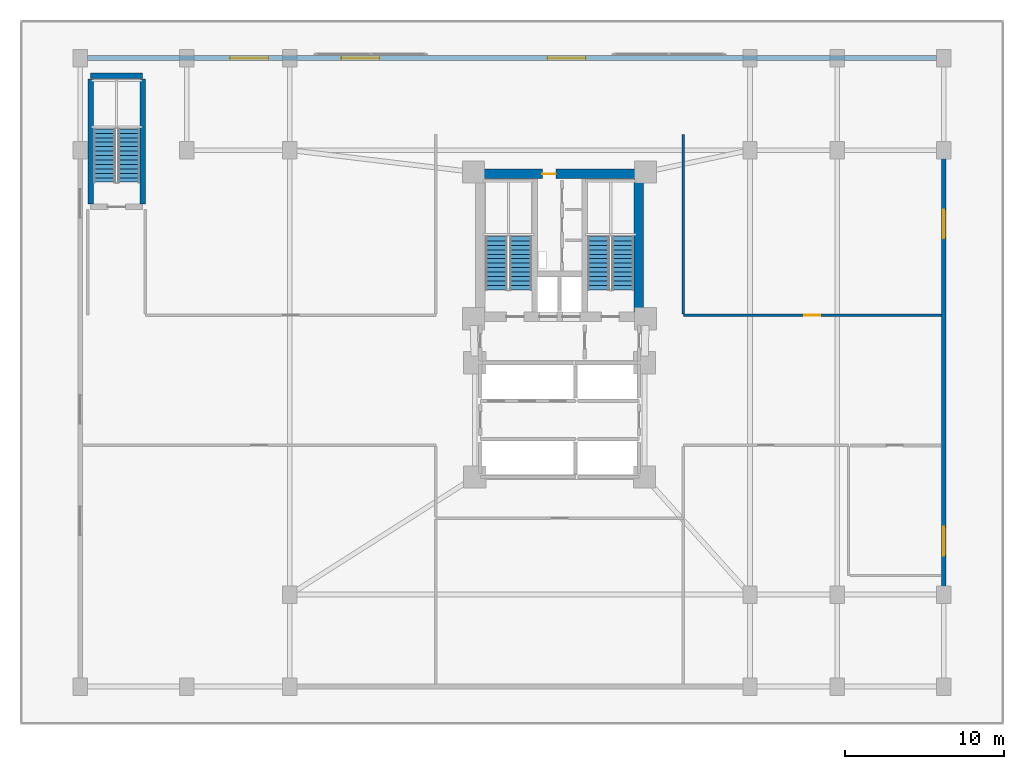
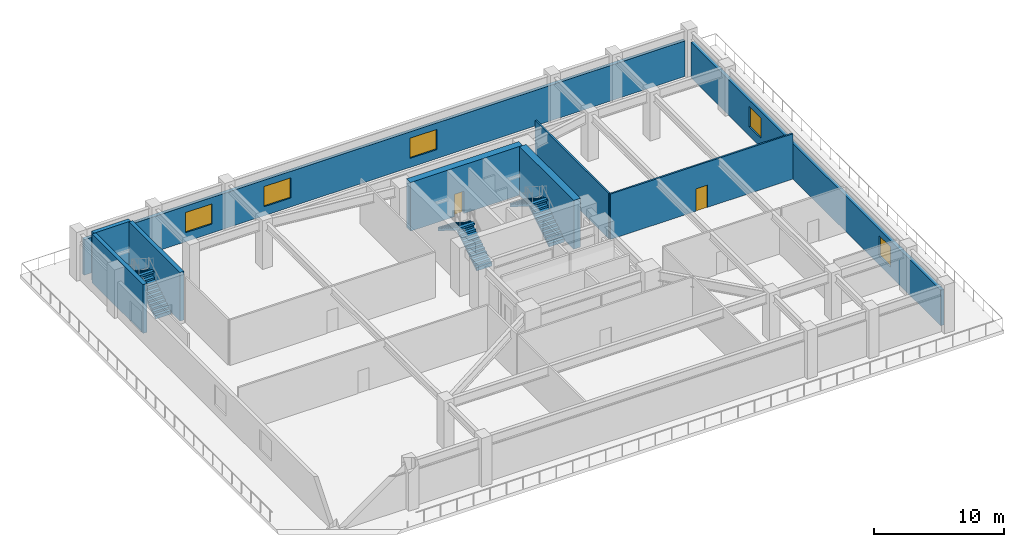
# One storey, part 7 of 10: 9 walls, 6 stair flights, 5 windows, 2 doors, 7 openings, 3 elements without a shape of their own.
"""IFC4 building model written with IfcOpenShell, lengths in metres."""

from ifc_helpers import new_model, si_unit, direction, frame, frame_2d, origin, place, context, subcontext, project, spatial, polyline, rectangle, outline, extrude, material, layer, layer_set, type_object, element, fill, aggregate, save


model = new_model("IFC4")

# Units and contexts
model_context = context("Model", 3, precision=1e-05, world=origin(), true_north=direction((0.0, 1.0)))
body_context = subcontext(model_context, "Body", "Model", "MODEL_VIEW")
ifc_project = project(units=[si_unit("LENGTHUNIT", "METRE"), si_unit("AREAUNIT", "SQUARE_METRE"), si_unit("VOLUMEUNIT", "CUBIC_METRE"), si_unit("PLANEANGLEUNIT", "RADIAN"), si_unit("MASSUNIT", "GRAM", prefix="KILO")], contexts=[model_context])

# Site, building, storey
site_placement = place(None, origin())
site = spatial("IfcSite", under=ifc_project, at=site_placement, CompositionType="ELEMENT")
building_placement = place(site_placement, origin())
building = spatial("IfcBuilding", under=site, at=building_placement, Name="Varnakorn Sky Granary", CompositionType="ELEMENT")
storey_placement = place(building_placement, frame((0.0, 0.0, 13.800048828125)))
storey = spatial("IfcBuildingStorey", under=building, at=storey_placement, Name="L03", CompositionType="ELEMENT", Elevation=13.800048828125)

# Walls
ifc_material_1 = material(Name="Concrete C50/60", Category="concrete")
ifc_layer_1 = layer(ifc_material_1, 0.35009765625, Name="Concrete C50/60")
ifc_layer_set_1 = layer_set([ifc_layer_1], Name="Concrete C50/60")
wall_type_1 = type_object("IfcWallType", Name="WT-CW-INT-350", PredefinedType="SHEAR", material=ifc_layer_set_1)
wall_1_placement = place(storey_placement, frame((-26.550048828125, 18.679931640625, 0.0), z_axis=(0.0, 0.0, 1.0), x_axis=(1.0, 0.0, 0.0)))
element("IfcWall", 1, at=wall_1_placement, inside=storey, type_object=wall_type_1, Name="Podium Stair ST-B3 North Wall L03", PredefinedType="SHEAR", context=body_context, shape_type="SweptSolid", body=[
    extrude(rectangle(XDim=3.280029296875, YDim=0.35009765625, at=frame_2d((1.64013671875, 0.0))), origin(), (0.0, 0.0, 1.0), 4.592041015625),
])
for number, where, z_axis, x_axis, name in (
    (2, (-26.550048828125, 10.610107421875, 0.0), (0.0, 0.0, 1.0), (0.0, 1.0, 0.0), "Podium Stair ST-B3 West Wall L03"),
    (3, (-23.27001953125, 10.610107421875, 0.0), (0.0, 0.0, 1.0), (0.0, 1.0, 0.0), "Podium Stair ST-B3 East Wall L03"),
):
    element("IfcWall", number, at=place(storey_placement, frame(where, z_axis=z_axis, x_axis=x_axis)), inside=storey, type_object=wall_type_1, Name=name, PredefinedType="SHEAR", context=body_context, shape_type="SweptSolid", body=[
        extrude(rectangle(XDim=7.8798828125, YDim=0.35009765625, at=frame_2d((3.93994140625, 0.0))), origin(), (0.0, 0.0, 1.0), 4.592041015625),
    ])

# Wall, opening, door
ifc_material_2 = material(Name="Concrete C60/75", Category="concrete")
ifc_layer_2 = layer(ifc_material_2, 0.60009765625, Name="Concrete C60/75")
ifc_layer_set_2 = layer_set([ifc_layer_2], Name="Concrete C60/75")
wall_type_2 = type_object("IfcWallType", Name="WT-CW-SHEAR-600", PredefinedType="SHEAR", material=ifc_layer_set_2)
wall_2_placement = place(storey_placement, frame((-2.0, 12.5, 0.0), z_axis=(0.0, 0.0, 1.0), x_axis=(1.0, 0.0, 0.0)))
wall_2 = element("IfcWall", 4, at=wall_2_placement, inside=storey, type_object=wall_type_2, Name="Core North Shear Wall L03", PredefinedType="SHEAR", context=body_context, shape_type="SweptSolid", body=[
    extrude(rectangle(XDim=10.0, YDim=0.60009765625, at=frame_2d((5.0, 0.0))), origin(), (0.0, 0.0, 1.0), 4.592041015625),
])
opening_1_placement = place(wall_2_placement, frame((3.919921875, 0.0, 0.0)))
opening_1 = element("IfcOpeningElement", 5, at=opening_1_placement, cuts=wall_2, Name="Opening FD-60N", PredefinedType="OPENING", context=body_context, shape_type="SweptSolid", body=[
    extrude(rectangle(XDim=0.85009765625, YDim=2.10009765625, at=frame_2d((0.425048828125, 1.050048828125))), frame((0.0, 0.31005859375, 0.0), z_axis=(0.0, -1.0, 0.0), x_axis=(1.0, 0.0, 0.0)), (0.0, 0.0, 1.0), 0.6201171875),
])
ifc_material_3 = material(Name="Acoustic Timber Fire Leaf", Category="wood")
door_type_1 = type_object("IfcDoorType", Name="DR-FD60-850", OperationType="NOTDEFINED", PredefinedType="DOOR", material=ifc_material_3)
door_1_placement = place(opening_1_placement, origin())
door_1 = element("IfcDoor", 6, at=door_1_placement, inside=storey, type_object=door_type_1, Name="Core North Service Door L03", OperationType="SINGLE_SWING_LEFT", OverallHeight=2.10009765625, OverallWidth=0.85009765625, PredefinedType="DOOR", context=body_context, shape_type="SweptSolid", body=[
    extrude(rectangle(XDim=0.85009765625, YDim=2.10009765625, at=frame_2d((0.425048828125, 1.050048828125))), frame((0.0, 0.02490234375, 0.0), z_axis=(0.0, -1.0, 0.0), x_axis=(1.0, 0.0, 0.0)), (0.0, 0.0, 1.0), 0.050048828125),
])
fill(opening_1, door_1)

# Wall
wall_3_placement = place(storey_placement, frame((8.0, 3.81005859375, 0.0), z_axis=(0.0, 0.0, 1.0), x_axis=(0.0, 1.0, 0.0)))
element("IfcWall", 7, at=wall_3_placement, inside=storey, type_object=wall_type_2, Name="Core East Shear Wall L03", PredefinedType="SHEAR", context=body_context, shape_type="SweptSolid", body=[
    extrude(rectangle(XDim=8.3798828125, YDim=0.60009765625, at=frame_2d((4.18994140625, 0.0))), origin(), (0.0, 0.0, 1.0), 4.592041015625),
])

# Wall, openings, windows
ifc_material_4 = material(Name="Precast concrete C40/50", Category="concrete")
ifc_layer_3 = layer(ifc_material_4, 0.300048828125, Name="Precast concrete C40/50")
ifc_layer_set_3 = layer_set([ifc_layer_3], Name="Precast concrete C40/50")
wall_type_3 = type_object("IfcWallType", Name="WT-EW-POD-300", PredefinedType="SOLIDWALL", material=ifc_layer_set_3)
wall_4_placement = place(storey_placement, frame((-26.7548828125, 19.800048828125, 0.0), z_axis=(0.0, 0.0, 1.0), x_axis=(1.0, 0.0, 0.0)))
wall_4 = element("IfcWall", 8, at=wall_4_placement, inside=storey, type_object=wall_type_3, Name="Podium Exterior Facade Wall L03-N", PredefinedType="SOLIDWALL", context=body_context, shape_type="SweptSolid", body=[
    extrude(rectangle(XDim=53.509765625, YDim=0.300048828125, at=frame_2d((26.7548828125, 0.0))), origin(), (0.0, 0.0, 1.0), 3.349853515625),
])
opening_2_placement = place(wall_4_placement, frame((9.0, 0.0, 0.85009765625)))
opening_2 = element("IfcOpeningElement", 9, at=opening_2_placement, cuts=wall_4, Name="Opening WN-01", PredefinedType="OPENING", context=body_context, shape_type="SweptSolid", body=[
    extrude(rectangle(XDim=2.39990234375, YDim=1.89990234375, at=frame_2d((1.199951171875, 0.949951171875))), frame((0.0, 0.16015625, 0.0), z_axis=(0.0, -1.0, 0.0), x_axis=(1.0, 0.0, 0.0)), (0.0, 0.0, 1.0), 0.320068359375),
])
opening_3_placement = place(wall_4_placement, frame((16.0, 0.0, 0.85009765625)))
opening_3 = element("IfcOpeningElement", 10, at=opening_3_placement, cuts=wall_4, Name="Opening WN-01", PredefinedType="OPENING", context=body_context, shape_type="SweptSolid", body=[
    extrude(rectangle(XDim=2.39990234375, YDim=1.89990234375, at=frame_2d((1.199951171875, 0.949951171875))), frame((0.0, 0.16015625, 0.0), z_axis=(0.0, -1.0, 0.0), x_axis=(1.0, 0.0, 0.0)), (0.0, 0.0, 1.0), 0.320068359375),
])
opening_4_placement = place(wall_4_placement, frame((29.0, 0.0, 0.85009765625)))
opening_4 = element("IfcOpeningElement", 11, at=opening_4_placement, cuts=wall_4, Name="Opening WN-01", PredefinedType="OPENING", context=body_context, shape_type="SweptSolid", body=[
    extrude(rectangle(XDim=2.39990234375, YDim=1.89990234375, at=frame_2d((1.199951171875, 0.949951171875))), frame((0.0, 0.16015625, 0.0), z_axis=(0.0, -1.0, 0.0), x_axis=(1.0, 0.0, 0.0)), (0.0, 0.0, 1.0), 0.320068359375),
])
ifc_material_5 = material(Name="Low-E Tinted Laminated Glass", Category="glass")
window_type_1 = type_object("IfcWindowType", Name="WN-POD-2400", PartitioningType="SINGLE_PANEL", PredefinedType="WINDOW", material=ifc_material_5)
window_1_placement = place(opening_2_placement, origin())
window_1 = element("IfcWindow", 12, at=window_1_placement, inside=storey, type_object=window_type_1, Name="Podium Facade Window L03-N", OverallHeight=1.89990234375, OverallWidth=2.39990234375, PartitioningType="SINGLE_PANEL", PredefinedType="WINDOW", context=body_context, shape_type="SweptSolid", body=[
    extrude(rectangle(XDim=2.39990234375, YDim=1.89990234375, at=frame_2d((1.199951171875, 0.949951171875))), frame((0.0, 0.030029296875, 0.0), z_axis=(0.0, -1.0, 0.0), x_axis=(1.0, 0.0, 0.0)), (0.0, 0.0, 1.0), 0.06005859375),
])
fill(opening_2, window_1)
window_2_placement = place(opening_3_placement, origin())
window_2 = element("IfcWindow", 13, at=window_2_placement, inside=storey, type_object=window_type_1, Name="Podium Facade Window L03-N", OverallHeight=1.89990234375, OverallWidth=2.39990234375, PartitioningType="SINGLE_PANEL", PredefinedType="WINDOW", context=body_context, shape_type="SweptSolid", body=[
    extrude(rectangle(XDim=2.39990234375, YDim=1.89990234375, at=frame_2d((1.199951171875, 0.949951171875))), frame((0.0, 0.030029296875, 0.0), z_axis=(0.0, -1.0, 0.0), x_axis=(1.0, 0.0, 0.0)), (0.0, 0.0, 1.0), 0.06005859375),
])
fill(opening_3, window_2)
window_3_placement = place(opening_4_placement, origin())
window_3 = element("IfcWindow", 14, at=window_3_placement, inside=storey, type_object=window_type_1, Name="Podium Facade Window L03-N", OverallHeight=1.89990234375, OverallWidth=2.39990234375, PartitioningType="SINGLE_PANEL", PredefinedType="WINDOW", context=body_context, shape_type="SweptSolid", body=[
    extrude(rectangle(XDim=2.39990234375, YDim=1.89990234375, at=frame_2d((1.199951171875, 0.949951171875))), frame((0.0, 0.030029296875, 0.0), z_axis=(0.0, -1.0, 0.0), x_axis=(1.0, 0.0, 0.0)), (0.0, 0.0, 1.0), 0.06005859375),
])
fill(opening_4, window_3)

wall_5_placement = place(storey_placement, frame((27.199951171875, 19.2548828125, 0.0), z_axis=(0.0, 0.0, 1.0), x_axis=(0.0, -1.0, 0.0)))
wall_5 = element("IfcWall", 15, at=wall_5_placement, inside=storey, type_object=wall_type_3, Name="Podium Exterior Facade Wall L03-E", PredefinedType="SOLIDWALL", context=body_context, shape_type="SweptSolid", body=[
    extrude(rectangle(XDim=38.509765625, YDim=0.300048828125, at=frame_2d((19.2548828125, 0.0))), origin(), (0.0, 0.0, 1.0), 3.349853515625),
])
opening_5_placement = place(wall_5_placement, frame((9.0, 0.0, 0.85009765625)))
opening_5 = element("IfcOpeningElement", 16, at=opening_5_placement, cuts=wall_5, Name="Opening WN-02", PredefinedType="OPENING", context=body_context, shape_type="SweptSolid", body=[
    extrude(rectangle(XDim=1.800048828125, YDim=1.89990234375, at=frame_2d((0.89990234375, 0.949951171875))), frame((0.0, 0.16015625, 0.0), z_axis=(0.0, -1.0, 0.0), x_axis=(1.0, 0.0, 0.0)), (0.0, 0.0, 1.0), 0.320068359375),
])
opening_6_placement = place(wall_5_placement, frame((29.0, 0.0, 0.85009765625)))
opening_6 = element("IfcOpeningElement", 17, at=opening_6_placement, cuts=wall_5, Name="Opening WN-02", PredefinedType="OPENING", context=body_context, shape_type="SweptSolid", body=[
    extrude(rectangle(XDim=1.800048828125, YDim=1.89990234375, at=frame_2d((0.89990234375, 0.949951171875))), frame((0.0, 0.16015625, 0.0), z_axis=(0.0, -1.0, 0.0), x_axis=(1.0, 0.0, 0.0)), (0.0, 0.0, 1.0), 0.320068359375),
])
window_type_2 = type_object("IfcWindowType", Name="WN-POD-1800", PartitioningType="SINGLE_PANEL", PredefinedType="WINDOW", material=ifc_material_5)
window_4_placement = place(opening_5_placement, origin())
window_4 = element("IfcWindow", 18, at=window_4_placement, inside=storey, type_object=window_type_2, Name="Podium Facade Window L03-E", OverallHeight=1.89990234375, OverallWidth=1.800048828125, PartitioningType="SINGLE_PANEL", PredefinedType="WINDOW", context=body_context, shape_type="SweptSolid", body=[
    extrude(rectangle(XDim=1.800048828125, YDim=1.89990234375, at=frame_2d((0.89990234375, 0.949951171875))), frame((0.0, 0.030029296875, 0.0), z_axis=(0.0, -1.0, 0.0), x_axis=(1.0, 0.0, 0.0)), (0.0, 0.0, 1.0), 0.06005859375),
])
fill(opening_5, window_4)
window_5_placement = place(opening_6_placement, origin())
window_5 = element("IfcWindow", 19, at=window_5_placement, inside=storey, type_object=window_type_2, Name="Podium Facade Window L03-E", OverallHeight=1.89990234375, OverallWidth=1.800048828125, PartitioningType="SINGLE_PANEL", PredefinedType="WINDOW", context=body_context, shape_type="SweptSolid", body=[
    extrude(rectangle(XDim=1.800048828125, YDim=1.89990234375, at=frame_2d((0.89990234375, 0.949951171875))), frame((0.0, 0.030029296875, 0.0), z_axis=(0.0, -1.0, 0.0), x_axis=(1.0, 0.0, 0.0)), (0.0, 0.0, 1.0), 0.06005859375),
])
fill(opening_6, window_5)

# Wall, opening, door
ifc_material_6 = material(Name="Gypsum Plasterboard on Steel Stud", Category="steel")
ifc_layer_4 = layer(ifc_material_6, 0.14990234375, Name="Gypsum Plasterboard on Steel Stud")
ifc_layer_set_4 = layer_set([ifc_layer_4], Name="Gypsum Plasterboard on Steel Stud")
wall_type_4 = type_object("IfcWallType", Name="WT-PART-150", PredefinedType="PARTITIONING", material=ifc_layer_set_4)
wall_6_placement = place(storey_placement, frame((27.050048828125, 3.60009765625, 0.0), z_axis=(0.0, 0.0, 1.0), x_axis=(-1.0, 0.0, 0.0)))
wall_6 = element("IfcWall", 20, at=wall_6_placement, inside=storey, type_object=wall_type_4, Name="Interior Partition Wall L03-022", PredefinedType="PARTITIONING", context=body_context, shape_type="SweptSolid", body=[
    extrude(rectangle(XDim=16.25, YDim=0.14990234375, at=frame_2d((8.125, 0.0))), origin(), (0.0, 0.0, 1.0), 4.280029296875),
])
opening_7_placement = place(wall_6_placement, frame((7.625, 0.0, 0.0)))
opening_7 = element("IfcOpeningElement", 21, at=opening_7_placement, cuts=wall_6, Name="Opening ID-100", PredefinedType="OPENING", context=body_context, shape_type="SweptSolid", body=[
    extrude(rectangle(XDim=1.0, YDim=2.10009765625, at=frame_2d((0.5, 1.050048828125))), frame((0.0, 0.0849609375, 0.0), z_axis=(0.0, -1.0, 0.0), x_axis=(1.0, 0.0, 0.0)), (0.0, 0.0, 1.0), 0.169921875),
])
ifc_material_7 = material(Name="Solid-Core Teak Veneer Leaf", Category="timber")
door_type_2 = type_object("IfcDoorType", Name="DR-INT-1000", OperationType="NOTDEFINED", PredefinedType="DOOR", material=ifc_material_7)
door_2_placement = place(opening_7_placement, origin())
door_2 = element("IfcDoor", 22, at=door_2_placement, inside=storey, type_object=door_type_2, Name="Interior Door L03-022-1", OperationType="SINGLE_SWING_LEFT", OverallHeight=2.10009765625, OverallWidth=1.0, PredefinedType="DOOR", context=body_context, shape_type="SweptSolid", body=[
    extrude(rectangle(XDim=1.0, YDim=2.10009765625, at=frame_2d((0.5, 1.050048828125))), frame((0.0, 0.02490234375, 0.0), z_axis=(0.0, -1.0, 0.0), x_axis=(1.0, 0.0, 0.0)), (0.0, 0.0, 1.0), 0.050048828125),
])
fill(opening_7, door_2)

# Wall
wall_7_placement = place(storey_placement, frame((10.800048828125, 3.68505859375, 0.0), z_axis=(0.0, 0.0, 1.0), x_axis=(0.0, 1.0, 0.0)))
element("IfcWall", 23, at=wall_7_placement, inside=storey, type_object=wall_type_4, Name="Interior Partition Wall L03-033", PredefinedType="PARTITIONING", context=body_context, shape_type="SweptSolid", body=[
    extrude(rectangle(XDim=11.31494140625, YDim=0.14990234375, at=frame_2d((5.657470703125, 0.0))), origin(), (0.0, 0.0, 1.0), 4.280029296875),
])

# Stair, stair flights
ifc_material_8 = material(Name="Concrete C40/50", Category="concrete")
stair_type = type_object("IfcStairType", Name="ST-MAIN-ASSEMBLY", PredefinedType="HALF_TURN_STAIR", material=ifc_material_8)
stair_1_placement = place(storey_placement, origin())
stair_1 = element("IfcStair", 24, at=stair_1_placement, inside=storey, type_object=stair_type, Name="L03 Protected Exit Stair ST-1", PredefinedType="HALF_TURN_STAIR")
stair_flight_type = type_object("IfcStairFlightType", Name="ST-MAIN-FLIGHT", PredefinedType="STRAIGHT", material=ifc_material_8)
stair_flight_1_placement = place(storey_placement, frame((0.550048828125, 5.199951171875, 0.0), z_axis=(0.0, 0.0, 1.0), x_axis=(0.0, 1.0, 0.0)))
stair_flight_1 = element("IfcStairFlight", 25, at=stair_flight_1_placement, type_object=stair_flight_type, Name="ST-1 flight 1", NumberOfRisers=13, NumberOfTreads=12, PredefinedType="STRAIGHT", RiserHeight=0.176923077, TreadLength=0.28, context=body_context, shape_type="SweptSolid", body=[
    extrude(outline(polyline([(0.0, -0.14990234375), (0.0, 0.0), (0.0, 0.177001953125), (0.280029296875, 0.177001953125), (0.280029296875, 0.353759765625), (0.56005859375, 0.353759765625), (0.56005859375, 0.53076171875), (0.840087890625, 0.53076171875), (0.840087890625, 0.707763671875), (1.1201171875, 0.707763671875), (1.1201171875, 0.884521484375), (1.39990234375, 0.884521484375), (1.39990234375, 1.0615234375), (1.679931640625, 1.0615234375), (1.679931640625, 1.238525390625), (1.9599609375, 1.238525390625), (1.9599609375, 1.415283203125), (2.239990234375, 1.415283203125), (2.239990234375, 1.59228515625), (2.52001953125, 1.59228515625), (2.52001953125, 1.769287109375), (2.800048828125, 1.769287109375), (2.800048828125, 1.946044921875), (3.080078125, 1.946044921875), (3.080078125, 2.123046875), (3.360107421875, 2.123046875), (3.360107421875, 2.300048828125), (3.360107421875, 1.94580078125), (0.050048828125, -0.14990234375), (0.0, -0.14990234375)])), frame((0.0, 0.68994140625, 0.0), z_axis=(0.0, -1.0, 0.0), x_axis=(1.0, 0.0, 0.0)), (0.0, 0.0, 1.0), 1.3798828125),
])
stair_flight_2_placement = place(storey_placement, frame((-0.97998046875, 8.56005859375, 2.300048828125), z_axis=(0.0, 0.0, 1.0), x_axis=(0.0, -1.0, 0.0)))
stair_flight_2 = element("IfcStairFlight", 26, at=stair_flight_2_placement, type_object=stair_flight_type, Name="ST-1 flight 2", NumberOfRisers=13, NumberOfTreads=12, PredefinedType="STRAIGHT", RiserHeight=0.176923077, TreadLength=0.28, context=body_context, shape_type="SweptSolid", body=[
    extrude(outline(polyline([(0.0, -0.14990234375), (0.0, 0.0), (0.0, 0.177001953125), (0.280029296875, 0.177001953125), (0.280029296875, 0.353759765625), (0.56005859375, 0.353759765625), (0.56005859375, 0.53076171875), (0.840087890625, 0.53076171875), (0.840087890625, 0.707763671875), (1.1201171875, 0.707763671875), (1.1201171875, 0.884521484375), (1.39990234375, 0.884521484375), (1.39990234375, 1.0615234375), (1.679931640625, 1.0615234375), (1.679931640625, 1.238525390625), (1.9599609375, 1.238525390625), (1.9599609375, 1.415283203125), (2.239990234375, 1.415283203125), (2.239990234375, 1.59228515625), (2.52001953125, 1.59228515625), (2.52001953125, 1.769287109375), (2.800048828125, 1.769287109375), (2.800048828125, 1.946044921875), (3.080078125, 1.946044921875), (3.080078125, 2.123046875), (3.360107421875, 2.123046875), (3.360107421875, 2.300048828125), (3.360107421875, 1.94580078125), (0.050048828125, -0.14990234375), (0.0, -0.14990234375)])), frame((0.0, 0.68994140625, 0.0), z_axis=(0.0, -1.0, 0.0), x_axis=(1.0, 0.0, 0.0)), (0.0, 0.0, 1.0), 1.3798828125),
])
aggregate(stair_1, [stair_flight_1, stair_flight_2])

stair_2_placement = place(storey_placement, origin())
stair_2 = element("IfcStair", 27, at=stair_2_placement, inside=storey, type_object=stair_type, Name="L03 Protected Exit Stair ST-2", PredefinedType="HALF_TURN_STAIR")
stair_flight_3_placement = place(storey_placement, frame((6.989990234375, 5.199951171875, 0.0), z_axis=(0.0, 0.0, 1.0), x_axis=(0.0, 1.0, 0.0)))
stair_flight_3 = element("IfcStairFlight", 28, at=stair_flight_3_placement, type_object=stair_flight_type, Name="ST-2 flight 1", NumberOfRisers=13, NumberOfTreads=12, PredefinedType="STRAIGHT", RiserHeight=0.176923077, TreadLength=0.28, context=body_context, shape_type="SweptSolid", body=[
    extrude(outline(polyline([(0.0, -0.14990234375), (0.0, 0.0), (0.0, 0.177001953125), (0.280029296875, 0.177001953125), (0.280029296875, 0.353759765625), (0.56005859375, 0.353759765625), (0.56005859375, 0.53076171875), (0.840087890625, 0.53076171875), (0.840087890625, 0.707763671875), (1.1201171875, 0.707763671875), (1.1201171875, 0.884521484375), (1.39990234375, 0.884521484375), (1.39990234375, 1.0615234375), (1.679931640625, 1.0615234375), (1.679931640625, 1.238525390625), (1.9599609375, 1.238525390625), (1.9599609375, 1.415283203125), (2.239990234375, 1.415283203125), (2.239990234375, 1.59228515625), (2.52001953125, 1.59228515625), (2.52001953125, 1.769287109375), (2.800048828125, 1.769287109375), (2.800048828125, 1.946044921875), (3.080078125, 1.946044921875), (3.080078125, 2.123046875), (3.360107421875, 2.123046875), (3.360107421875, 2.300048828125), (3.360107421875, 1.94580078125), (0.050048828125, -0.14990234375), (0.0, -0.14990234375)])), frame((0.0, 0.68994140625, 0.0), z_axis=(0.0, -1.0, 0.0), x_axis=(1.0, 0.0, 0.0)), (0.0, 0.0, 1.0), 1.3798828125),
])
stair_flight_4_placement = place(storey_placement, frame((5.4599609375, 8.56005859375, 2.300048828125), z_axis=(0.0, 0.0, 1.0), x_axis=(0.0, -1.0, 0.0)))
stair_flight_4 = element("IfcStairFlight", 29, at=stair_flight_4_placement, type_object=stair_flight_type, Name="ST-2 flight 2", NumberOfRisers=13, NumberOfTreads=12, PredefinedType="STRAIGHT", RiserHeight=0.176923077, TreadLength=0.28, context=body_context, shape_type="SweptSolid", body=[
    extrude(outline(polyline([(0.0, -0.14990234375), (0.0, 0.0), (0.0, 0.177001953125), (0.280029296875, 0.177001953125), (0.280029296875, 0.353759765625), (0.56005859375, 0.353759765625), (0.56005859375, 0.53076171875), (0.840087890625, 0.53076171875), (0.840087890625, 0.707763671875), (1.1201171875, 0.707763671875), (1.1201171875, 0.884521484375), (1.39990234375, 0.884521484375), (1.39990234375, 1.0615234375), (1.679931640625, 1.0615234375), (1.679931640625, 1.238525390625), (1.9599609375, 1.238525390625), (1.9599609375, 1.415283203125), (2.239990234375, 1.415283203125), (2.239990234375, 1.59228515625), (2.52001953125, 1.59228515625), (2.52001953125, 1.769287109375), (2.800048828125, 1.769287109375), (2.800048828125, 1.946044921875), (3.080078125, 1.946044921875), (3.080078125, 2.123046875), (3.360107421875, 2.123046875), (3.360107421875, 2.300048828125), (3.360107421875, 1.94580078125), (0.050048828125, -0.14990234375), (0.0, -0.14990234375)])), frame((0.0, 0.68994140625, 0.0), z_axis=(0.0, -1.0, 0.0), x_axis=(1.0, 0.0, 0.0)), (0.0, 0.0, 1.0), 1.3798828125),
])
aggregate(stair_2, [stair_flight_3, stair_flight_4])

stair_3_placement = place(storey_placement, origin())
stair_3 = element("IfcStair", 30, at=stair_3_placement, inside=storey, type_object=stair_type, Name="L03 Podium and Basement Protected Exit Stair ST-B3", PredefinedType="HALF_TURN_STAIR")
stair_flight_5_placement = place(storey_placement, frame((-24.139892578125, 11.97998046875, 0.0), z_axis=(0.0, 0.0, 1.0), x_axis=(0.0, 1.0, 0.0)))
stair_flight_5 = element("IfcStairFlight", 31, at=stair_flight_5_placement, type_object=stair_flight_type, Name="ST-B3 flight 1", NumberOfRisers=13, NumberOfTreads=12, PredefinedType="STRAIGHT", RiserHeight=0.176923077, TreadLength=0.28, context=body_context, shape_type="SweptSolid", body=[
    extrude(outline(polyline([(0.0, -0.14990234375), (0.0, 0.0), (0.0, 0.177001953125), (0.280029296875, 0.177001953125), (0.280029296875, 0.353759765625), (0.56005859375, 0.353759765625), (0.56005859375, 0.53076171875), (0.840087890625, 0.53076171875), (0.840087890625, 0.707763671875), (1.1201171875, 0.707763671875), (1.1201171875, 0.884521484375), (1.39990234375, 0.884521484375), (1.39990234375, 1.0615234375), (1.679931640625, 1.0615234375), (1.679931640625, 1.238525390625), (1.9599609375, 1.238525390625), (1.9599609375, 1.415283203125), (2.239990234375, 1.415283203125), (2.239990234375, 1.59228515625), (2.52001953125, 1.59228515625), (2.52001953125, 1.769287109375), (2.800048828125, 1.769287109375), (2.800048828125, 1.946044921875), (3.080078125, 1.946044921875), (3.080078125, 2.123046875), (3.360107421875, 2.123046875), (3.360107421875, 2.300048828125), (3.360107421875, 1.94580078125), (0.050048828125, -0.14990234375), (0.0, -0.14990234375)])), frame((0.0, 0.68994140625, 0.0), z_axis=(0.0, -1.0, 0.0), x_axis=(1.0, 0.0, 0.0)), (0.0, 0.0, 1.0), 1.3798828125),
])
stair_flight_6_placement = place(storey_placement, frame((-25.669921875, 15.340087890625, 2.300048828125), z_axis=(0.0, 0.0, 1.0), x_axis=(0.0, -1.0, 0.0)))
stair_flight_6 = element("IfcStairFlight", 32, at=stair_flight_6_placement, type_object=stair_flight_type, Name="ST-B3 flight 2", NumberOfRisers=13, NumberOfTreads=12, PredefinedType="STRAIGHT", RiserHeight=0.176923077, TreadLength=0.28, context=body_context, shape_type="SweptSolid", body=[
    extrude(outline(polyline([(0.0, -0.14990234375), (0.0, 0.0), (0.0, 0.177001953125), (0.280029296875, 0.177001953125), (0.280029296875, 0.353759765625), (0.56005859375, 0.353759765625), (0.56005859375, 0.53076171875), (0.840087890625, 0.53076171875), (0.840087890625, 0.707763671875), (1.1201171875, 0.707763671875), (1.1201171875, 0.884521484375), (1.39990234375, 0.884521484375), (1.39990234375, 1.0615234375), (1.679931640625, 1.0615234375), (1.679931640625, 1.238525390625), (1.9599609375, 1.238525390625), (1.9599609375, 1.415283203125), (2.239990234375, 1.415283203125), (2.239990234375, 1.59228515625), (2.52001953125, 1.59228515625), (2.52001953125, 1.769287109375), (2.800048828125, 1.769287109375), (2.800048828125, 1.946044921875), (3.080078125, 1.946044921875), (3.080078125, 2.123046875), (3.360107421875, 2.123046875), (3.360107421875, 2.300048828125), (3.360107421875, 1.94580078125), (0.050048828125, -0.14990234375), (0.0, -0.14990234375)])), frame((0.0, 0.68994140625, 0.0), z_axis=(0.0, -1.0, 0.0), x_axis=(1.0, 0.0, 0.0)), (0.0, 0.0, 1.0), 1.3798828125),
])
aggregate(stair_3, [stair_flight_5, stair_flight_6])

save(model, "model.ifc")
